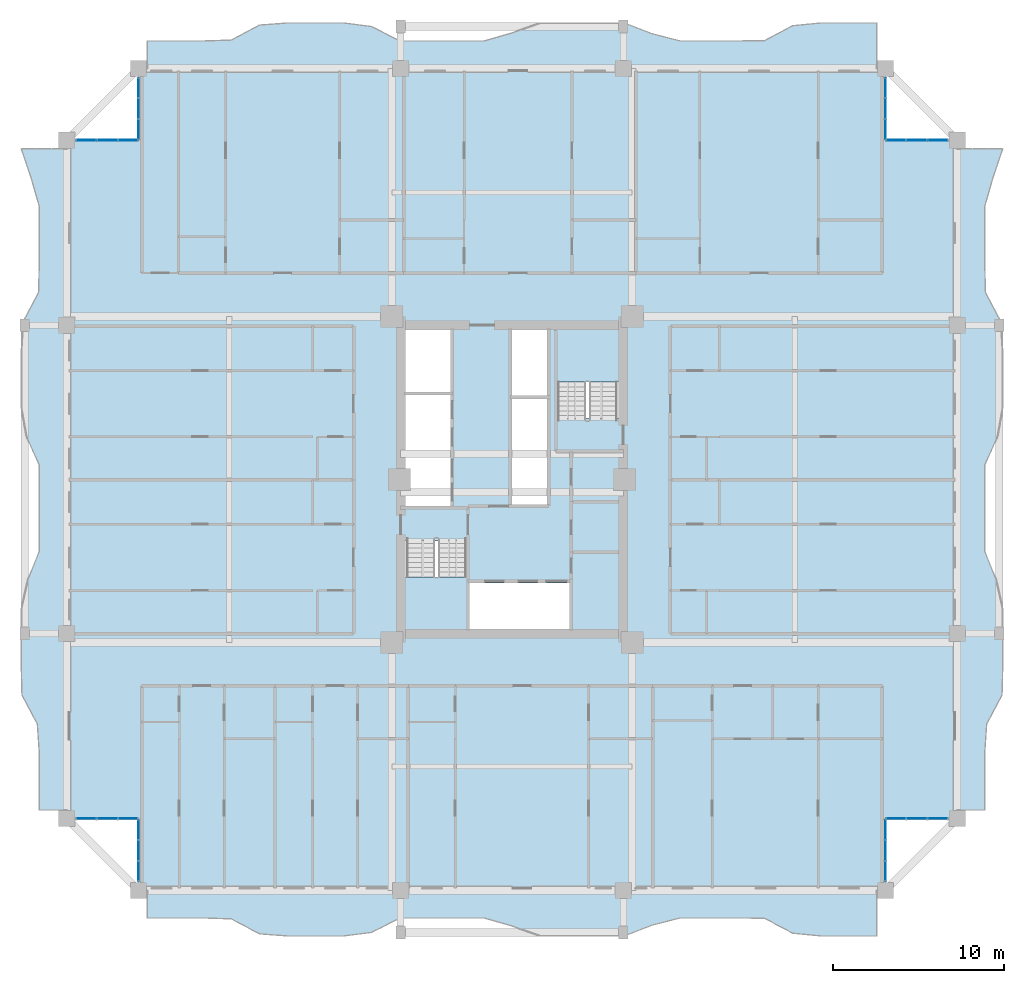
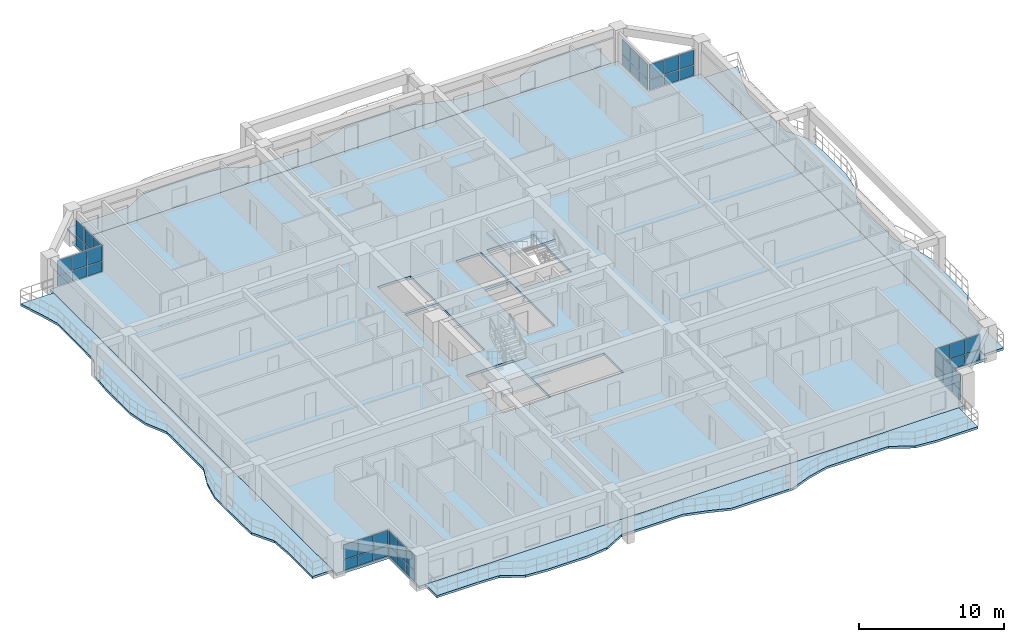
# One storey, part 13 of 25: 48 plates, 7 slabs, 10 elements without a shape of their own.
"""IFC4 building model written with IfcOpenShell, lengths in metres."""

from ifc_helpers import new_model, si_unit, direction, frame, origin, origin_2d, place, context, subcontext, project, spatial, polyline, rectangle, outline, extrude, source, transform, mapped, material, layer, layer_set, type_object, element, aggregate, save


model = new_model("IFC4")

# Units and contexts
model_context = context("Model", 3, precision=1e-05, world=origin(), true_north=direction((0.0, 1.0)))
body_context = subcontext(model_context, "Body", "Model", "MODEL_VIEW")
ifc_project = project(units=[si_unit("LENGTHUNIT", "METRE"), si_unit("AREAUNIT", "SQUARE_METRE"), si_unit("VOLUMEUNIT", "CUBIC_METRE"), si_unit("PLANEANGLEUNIT", "RADIAN"), si_unit("MASSUNIT", "GRAM", prefix="KILO")], contexts=[model_context])

# Site, building, storey
site_placement = place(None, origin())
site = spatial("IfcSite", under=ifc_project, at=site_placement, CompositionType="ELEMENT")
building_placement = place(site_placement, origin())
building = spatial("IfcBuilding", under=site, at=building_placement, Name="Saelheon Loggia Tower", CompositionType="ELEMENT")
storey_placement = place(building_placement, frame((0.0, 0.0, 80.85009765625)))
storey = spatial("IfcBuildingStorey", under=building, at=storey_placement, Name="L25", CompositionType="ELEMENT", Elevation=80.85009765625)

# Slabs
ifc_material_1 = material(Name="Precast Concrete C45/55", Category="concrete")
ifc_layer_1 = layer(ifc_material_1, 0.18994140625)
ifc_layer_set_1 = layer_set([ifc_layer_1], Name="Precast Concrete C45/55")
slab_type_1 = type_object("IfcSlabType", Name="Slab_Loggia_Ext_190", PredefinedType="FLOOR", material=ifc_layer_set_1)
slab_1_placement = place(storey_placement, frame((0.0, 0.0, -0.190185546875)))
element("IfcSlab", 1, at=slab_1_placement, inside=storey, type_object=slab_type_1, Name="L25 Loggia Balcony Slab S", PredefinedType="FLOOR", context=body_context, shape_type="SweptSolid", body=[
    extrude(outline(polyline([(16.699951171875, 1.39990234375), (18.33837890625, 1.39990234375), (19.976806640625, 1.39990234375), (21.615478515625, 1.34619140625), (23.25390625, 0.472412109375), (24.892333984375, 0.35009765625), (26.53076171875, 0.35009765625), (28.169189453125, 0.35009765625), (29.8076171875, 0.5576171875), (31.4462890625, 1.39990234375), (33.084716796875, 1.39990234375), (34.72314453125, 1.39990234375), (36.361572265625, 1.39990234375), (38.0, 0.931396484375), (39.638427734375, 0.35009765625), (41.27685546875, 0.35009765625), (42.915283203125, 0.35009765625), (44.5537109375, 0.35009765625), (46.1923828125, 0.9814453125), (47.830810546875, 1.39990234375), (49.46923828125, 1.39990234375), (51.107666015625, 1.39990234375), (52.74609375, 1.381103515625), (54.384521484375, 0.5087890625), (56.023193359375, 0.35009765625), (57.66162109375, 0.35009765625), (59.300048828125, 0.35009765625), (59.300048828125, 3.0), (16.699951171875, 3.0), (16.699951171875, 1.39990234375)])), origin(), (0.0, 0.0, 1.0), 0.190185546875),
])
slab_2_placement = place(storey_placement, frame((0.0, 0.0, -0.190185546875)))
element("IfcSlab", 2, at=slab_2_placement, inside=storey, type_object=slab_type_1, Name="L25 Loggia Balcony Slab N", PredefinedType="FLOOR", context=body_context, shape_type="SweptSolid", body=[
    extrude(outline(polyline([(16.699951171875, 51.0), (59.300048828125, 51.0), (59.300048828125, 53.64990234375), (57.66162109375, 53.64990234375), (56.023193359375, 53.64990234375), (54.384521484375, 53.4912109375), (52.74609375, 52.618896484375), (51.107666015625, 52.60009765625), (49.46923828125, 52.60009765625), (47.830810546875, 52.60009765625), (46.1923828125, 53.0185546875), (44.5537109375, 53.64990234375), (42.915283203125, 53.64990234375), (41.27685546875, 53.64990234375), (39.638427734375, 53.64990234375), (38.0, 53.068603515625), (36.361572265625, 52.60009765625), (34.72314453125, 52.60009765625), (33.084716796875, 52.60009765625), (31.4462890625, 52.60009765625), (29.8076171875, 53.4423828125), (28.169189453125, 53.64990234375), (26.53076171875, 53.64990234375), (24.892333984375, 53.64990234375), (23.25390625, 53.527587890625), (21.615478515625, 52.65380859375), (19.976806640625, 52.60009765625), (18.33837890625, 52.60009765625), (16.699951171875, 52.60009765625), (16.699951171875, 51.0)])), origin(), (0.0, 0.0, 1.0), 0.190185546875),
])
slab_3_placement = place(storey_placement, frame((0.0, 0.0, -0.190185546875)))
element("IfcSlab", 3, at=slab_3_placement, inside=storey, type_object=slab_type_1, Name="L25 Loggia Balcony Slab E", PredefinedType="FLOOR", context=body_context, shape_type="SweptSolid", body=[
    extrude(outline(polyline([(64.0, 7.699951171875), (65.60009765625, 7.699951171875), (65.60009765625, 9.37841796875), (65.60009765625, 11.056396484375), (65.714599609375, 12.73486328125), (66.60986328125, 14.4130859375), (66.64990234375, 16.09130859375), (66.64990234375, 17.76953125), (66.64990234375, 19.44775390625), (66.271484375, 21.126220703125), (65.60009765625, 22.80419921875), (65.60009765625, 24.482666015625), (65.60009765625, 26.160888671875), (65.60009765625, 27.839111328125), (66.34912109375, 29.517333984375), (66.64990234375, 31.19580078125), (66.64990234375, 32.873779296875), (66.64990234375, 34.55224609375), (66.535888671875, 36.23046875), (65.6416015625, 37.90869140625), (65.60009765625, 39.5869140625), (65.60009765625, 41.26513671875), (65.60009765625, 42.943603515625), (66.080322265625, 44.62158203125), (66.64990234375, 46.300048828125), (64.0, 46.300048828125), (64.0, 7.699951171875)])), origin(), (0.0, 0.0, 1.0), 0.190185546875),
])
slab_4_placement = place(storey_placement, frame((0.0, 0.0, -0.190185546875)))
element("IfcSlab", 4, at=slab_4_placement, inside=storey, type_object=slab_type_1, Name="L25 Loggia Balcony Slab W", PredefinedType="FLOOR", context=body_context, shape_type="SweptSolid", body=[
    extrude(outline(polyline([(12.0, 7.699951171875), (12.0, 46.300048828125), (9.35009765625, 46.300048828125), (9.919677734375, 44.62158203125), (10.39990234375, 42.943603515625), (10.39990234375, 41.26513671875), (10.39990234375, 39.5869140625), (10.3583984375, 37.90869140625), (9.464111328125, 36.23046875), (9.35009765625, 34.55224609375), (9.35009765625, 32.873779296875), (9.35009765625, 31.19580078125), (9.65087890625, 29.517333984375), (10.39990234375, 27.839111328125), (10.39990234375, 26.160888671875), (10.39990234375, 24.482666015625), (10.39990234375, 22.80419921875), (9.728515625, 21.126220703125), (9.35009765625, 19.44775390625), (9.35009765625, 17.76953125), (9.35009765625, 16.09130859375), (9.39013671875, 14.4130859375), (10.285400390625, 12.73486328125), (10.39990234375, 11.056396484375), (10.39990234375, 9.37841796875), (10.39990234375, 7.699951171875), (12.0, 7.699951171875)])), origin(), (0.0, 0.0, 1.0), 0.190185546875),
])

# Stair, slab
ifc_material_2 = material(Name="Concrete C40/50", Category="concrete")
stair_type = type_object("IfcStairType", Name="Stair_Escape_Core", PredefinedType="HALF_TURN_STAIR", material=ifc_material_2)
stair_1_placement = place(storey_placement, origin())
stair_1 = element("IfcStair", 5, at=stair_1_placement, inside=storey, type_object=stair_type, Name="L25 Special Escape Stair ST1", PredefinedType="HALF_TURN_STAIR")
ifc_layer_2 = layer(ifc_material_2, 0.199951171875)
ifc_layer_set_2 = layer_set([ifc_layer_2], Name="Concrete C40/50")
slab_type_2 = type_object("IfcSlabType", Name="Slab_StairLanding_ST1", PredefinedType="LANDING", material=ifc_layer_set_2)
slab_5_placement = place(storey_placement, frame((0.0, 0.0, 1.2998046875)))
slab_5 = element("IfcSlab", 6, at=slab_5_placement, type_object=slab_type_2, Name="ST1 landing 1", PredefinedType="LANDING", context=body_context, shape_type="SweptSolid", body=[
    extrude(outline(polyline([(31.7099609375, 21.31005859375), (31.7099609375, 18.2099609375), (35.469970703125, 18.2099609375), (35.469970703125, 21.31005859375), (31.7099609375, 21.31005859375)])), origin(), (0.0, 0.0, 1.0), 0.2001953125),
])
aggregate(stair_1, [slab_5])

stair_2_placement = place(storey_placement, origin())
stair_2 = element("IfcStair", 7, at=stair_2_placement, inside=storey, type_object=stair_type, Name="L25 Special Escape Stair ST2", PredefinedType="HALF_TURN_STAIR")
ifc_layer_3 = layer(ifc_material_2, 0.199951171875)
ifc_layer_set_3 = layer_set([ifc_layer_3], Name="Concrete C40/50")
slab_type_3 = type_object("IfcSlabType", Name="Slab_StairLanding_ST2", PredefinedType="LANDING", material=ifc_layer_set_3)
slab_6_placement = place(storey_placement, frame((0.0, 0.0, 1.2998046875)))
slab_6 = element("IfcSlab", 8, at=slab_6_placement, type_object=slab_type_3, Name="ST2 landing 1", PredefinedType="LANDING", context=body_context, shape_type="SweptSolid", body=[
    extrude(outline(polyline([(44.2900390625, 32.68994140625), (44.2900390625, 35.7900390625), (40.530029296875, 35.7900390625), (40.530029296875, 32.68994140625), (44.2900390625, 32.68994140625)])), origin(), (0.0, 0.0, 1.0), 0.2001953125),
])
aggregate(stair_2, [slab_6])

# Slab
ifc_layer_4 = layer(ifc_material_2, 0.2099609375)
ifc_layer_set_4 = layer_set([ifc_layer_4], Name="Concrete C40/50")
slab_type_4 = type_object("IfcSlabType", Name="Slab_Tower_210", PredefinedType="FLOOR", material=ifc_layer_set_4)
slab_7_placement = place(storey_placement, frame((0.0, 0.0, -0.210205078125)))
element("IfcSlab", 9, at=slab_7_placement, inside=storey, type_object=slab_type_4, Name="L25 Tower Floor Slab", PredefinedType="FLOOR", context=body_context, shape_type="SweptSolid", body=[
    extrude(outline(polyline([(16.199951171875, 3.0), (59.800048828125, 3.0), (59.800048828125, 7.199951171875), (64.0, 7.199951171875), (64.0, 46.800048828125), (59.800048828125, 46.800048828125), (59.800048828125, 51.0), (16.199951171875, 51.0), (16.199951171875, 46.800048828125), (12.0, 46.800048828125), (12.0, 7.199951171875), (16.199951171875, 7.199951171875), (16.199951171875, 3.0)]), holes=[polyline([(31.699951171875, 23.409912109375), (31.699951171875, 18.199951171875), (35.47998046875, 18.199951171875), (35.47998046875, 23.409912109375), (31.699951171875, 23.409912109375)]), polyline([(44.300048828125, 30.590087890625), (44.300048828125, 35.800048828125), (40.52001953125, 35.800048828125), (40.52001953125, 30.590087890625), (44.300048828125, 30.590087890625)]), polyline([(35.530029296875, 18.27490234375), (41.35009765625, 18.27490234375), (41.35009765625, 20.9599609375), (35.530029296875, 20.9599609375), (35.530029296875, 18.27490234375)]), polyline([(31.77490234375, 32.1201171875), (34.419921875, 32.1201171875), (34.419921875, 35.72509765625), (31.77490234375, 35.72509765625), (31.77490234375, 32.1201171875)]), polyline([(38.0, 31.89990234375), (40.050048828125, 31.89990234375), (40.050048828125, 35.72509765625), (38.0, 35.72509765625), (38.0, 31.89990234375)]), polyline([(31.77490234375, 25.449951171875), (34.419921875, 25.449951171875), (34.419921875, 31.919921875), (31.77490234375, 31.919921875), (31.77490234375, 25.449951171875)]), polyline([(38.0, 25.5400390625), (40.050048828125, 25.5400390625), (40.050048828125, 31.699951171875), (38.0, 31.699951171875), (38.0, 25.5400390625)])]), origin(), (0.0, 0.0, 1.0), 0.210205078125),
])

# Curtain wall, plates
ifc_material_3 = material(Name="Thermal-Break Aluminium and Triple Low-E Glass", Category="aluminium")
ifc_layer_5 = layer(ifc_material_3, 0.159912109375)
ifc_layer_set_5 = layer_set([ifc_layer_5], Name="Thermal-Break Aluminium and Triple Low-E Glass")
curtain_wall_type = type_object("IfcCurtainWallType", Name="CW_TowerLoggiaLow", PredefinedType="NOTDEFINED", material=ifc_layer_set_5)
curtain_wall_1_placement = place(storey_placement, origin())
curtain_wall_1 = element("IfcCurtainWall", 10, at=curtain_wall_1_placement, inside=storey, type_object=curtain_wall_type, Name="L25 Corner Notch Glazing SW1", PredefinedType="NOTDEFINED")
ifc_material_4 = material(Name="Triple Low-E Laminated Glazing", Category="glass")
ifc_layer_6 = layer(ifc_material_4, 0.0419921875)
ifc_layer_set_6 = layer_set([ifc_layer_6], Name="Triple Low-E Laminated Glazing")
plate_type = type_object("IfcPlateType", Name="CW_TowerLoggiaLow_Panel", PredefinedType="CURTAIN_PANEL", material=ifc_layer_set_6)
shared_shape_1 = source(origin(), body_context, "Body", "SweptSolid", [
    extrude(rectangle(XDim=1.130859375, YDim=0.0419921875, at=origin_2d()), origin(), (0.0, 0.0, 1.0), 0.8525390625),
])
plate_1_placement = place(storey_placement, frame((16.199951171875, 4.1455078125, 0.06494140625), z_axis=(0.0, 0.0, 1.0), x_axis=(0.0, 1.0, 0.0)))
plate_1 = element("IfcPlate", 11, at=plate_1_placement, type_object=plate_type, Name="CW3 panel 1.1", PredefinedType="CURTAIN_PANEL", context=body_context, shape_type="MappedRepresentation", body=[
    mapped(shared_shape_1, transform((0.0, 0.0, 0.0), scale=1.0)),
])
plate_2_placement = place(storey_placement, frame((16.199951171875, 6.569580078125, 0.06494140625), z_axis=(0.0, 0.0, 1.0), x_axis=(0.0, 1.0, 0.0)))
plate_2 = element("IfcPlate", 12, at=plate_2_placement, type_object=plate_type, Name="CW3 panel 3.1", PredefinedType="CURTAIN_PANEL", context=body_context, shape_type="MappedRepresentation", body=[
    mapped(shared_shape_1, transform((0.0, 0.0, 0.0), scale=1.0)),
])

curtain_wall_2_placement = place(storey_placement, origin())
curtain_wall_2 = element("IfcCurtainWall", 13, at=curtain_wall_2_placement, inside=storey, type_object=curtain_wall_type, Name="L25 Corner Notch Glazing SW2", PredefinedType="NOTDEFINED")
plate_3_placement = place(storey_placement, frame((13.1455078125, 7.199951171875, 0.06494140625), z_axis=(0.0, 0.0, 1.0), x_axis=(1.0, 0.0, 0.0)))
plate_3 = element("IfcPlate", 14, at=plate_3_placement, type_object=plate_type, Name="CW3 panel 1.1", PredefinedType="CURTAIN_PANEL", context=body_context, shape_type="MappedRepresentation", body=[
    mapped(shared_shape_1, transform((0.0, 0.0, 0.0), scale=1.0)),
])
plate_4_placement = place(storey_placement, frame((15.569580078125, 7.199951171875, 0.06494140625), z_axis=(0.0, 0.0, 1.0), x_axis=(1.0, 0.0, 0.0)))
plate_4 = element("IfcPlate", 15, at=plate_4_placement, type_object=plate_type, Name="CW3 panel 3.1", PredefinedType="CURTAIN_PANEL", context=body_context, shape_type="MappedRepresentation", body=[
    mapped(shared_shape_1, transform((0.0, 0.0, 0.0), scale=1.0)),
])

curtain_wall_3_placement = place(storey_placement, origin())
curtain_wall_3 = element("IfcCurtainWall", 16, at=curtain_wall_3_placement, inside=storey, type_object=curtain_wall_type, Name="L25 Corner Notch Glazing SE1", PredefinedType="NOTDEFINED")
plate_5_placement = place(storey_placement, frame((59.800048828125, 4.1455078125, 0.06494140625), z_axis=(0.0, 0.0, 1.0), x_axis=(0.0, 1.0, 0.0)))
plate_5 = element("IfcPlate", 17, at=plate_5_placement, type_object=plate_type, Name="CW3 panel 1.1", PredefinedType="CURTAIN_PANEL", context=body_context, shape_type="MappedRepresentation", body=[
    mapped(shared_shape_1, transform((0.0, 0.0, 0.0), scale=1.0)),
])
plate_6_placement = place(storey_placement, frame((59.800048828125, 6.569580078125, 0.06494140625), z_axis=(0.0, 0.0, 1.0), x_axis=(0.0, 1.0, 0.0)))
plate_6 = element("IfcPlate", 18, at=plate_6_placement, type_object=plate_type, Name="CW3 panel 3.1", PredefinedType="CURTAIN_PANEL", context=body_context, shape_type="MappedRepresentation", body=[
    mapped(shared_shape_1, transform((0.0, 0.0, 0.0), scale=1.0)),
])

curtain_wall_4_placement = place(storey_placement, origin())
curtain_wall_4 = element("IfcCurtainWall", 19, at=curtain_wall_4_placement, inside=storey, type_object=curtain_wall_type, Name="L25 Corner Notch Glazing SE2", PredefinedType="NOTDEFINED")
plate_7_placement = place(storey_placement, frame((60.430419921875, 7.199951171875, 0.06494140625), z_axis=(0.0, 0.0, 1.0), x_axis=(1.0, 0.0, 0.0)))
plate_7 = element("IfcPlate", 20, at=plate_7_placement, type_object=plate_type, Name="CW3 panel 1.1", PredefinedType="CURTAIN_PANEL", context=body_context, shape_type="MappedRepresentation", body=[
    mapped(shared_shape_1, transform((0.0, 0.0, 0.0), scale=1.0)),
])
plate_8_placement = place(storey_placement, frame((62.8544921875, 7.199951171875, 0.06494140625), z_axis=(0.0, 0.0, 1.0), x_axis=(1.0, 0.0, 0.0)))
plate_8 = element("IfcPlate", 21, at=plate_8_placement, type_object=plate_type, Name="CW3 panel 3.1", PredefinedType="CURTAIN_PANEL", context=body_context, shape_type="MappedRepresentation", body=[
    mapped(shared_shape_1, transform((0.0, 0.0, 0.0), scale=1.0)),
])

curtain_wall_5_placement = place(storey_placement, origin())
curtain_wall_5 = element("IfcCurtainWall", 22, at=curtain_wall_5_placement, inside=storey, type_object=curtain_wall_type, Name="L25 Corner Notch Glazing NW1", PredefinedType="NOTDEFINED")
plate_9_placement = place(storey_placement, frame((16.199951171875, 47.430419921875, 0.06494140625), z_axis=(0.0, 0.0, 1.0), x_axis=(0.0, 1.0, 0.0)))
plate_9 = element("IfcPlate", 23, at=plate_9_placement, type_object=plate_type, Name="CW3 panel 1.1", PredefinedType="CURTAIN_PANEL", context=body_context, shape_type="MappedRepresentation", body=[
    mapped(shared_shape_1, transform((0.0, 0.0, 0.0), scale=1.0)),
])
plate_10_placement = place(storey_placement, frame((16.199951171875, 49.8544921875, 0.06494140625), z_axis=(0.0, 0.0, 1.0), x_axis=(0.0, 1.0, 0.0)))
plate_10 = element("IfcPlate", 24, at=plate_10_placement, type_object=plate_type, Name="CW3 panel 3.1", PredefinedType="CURTAIN_PANEL", context=body_context, shape_type="MappedRepresentation", body=[
    mapped(shared_shape_1, transform((0.0, 0.0, 0.0), scale=1.0)),
])

curtain_wall_6_placement = place(storey_placement, origin())
curtain_wall_6 = element("IfcCurtainWall", 25, at=curtain_wall_6_placement, inside=storey, type_object=curtain_wall_type, Name="L25 Corner Notch Glazing NW2", PredefinedType="NOTDEFINED")
plate_11_placement = place(storey_placement, frame((13.1455078125, 46.800048828125, 0.06494140625), z_axis=(0.0, 0.0, 1.0), x_axis=(1.0, 0.0, 0.0)))
plate_11 = element("IfcPlate", 26, at=plate_11_placement, type_object=plate_type, Name="CW3 panel 1.1", PredefinedType="CURTAIN_PANEL", context=body_context, shape_type="MappedRepresentation", body=[
    mapped(shared_shape_1, transform((0.0, 0.0, 0.0), scale=1.0)),
])
plate_12_placement = place(storey_placement, frame((15.569580078125, 46.800048828125, 0.06494140625), z_axis=(0.0, 0.0, 1.0), x_axis=(1.0, 0.0, 0.0)))
plate_12 = element("IfcPlate", 27, at=plate_12_placement, type_object=plate_type, Name="CW3 panel 3.1", PredefinedType="CURTAIN_PANEL", context=body_context, shape_type="MappedRepresentation", body=[
    mapped(shared_shape_1, transform((0.0, 0.0, 0.0), scale=1.0)),
])

curtain_wall_7_placement = place(storey_placement, origin())
curtain_wall_7 = element("IfcCurtainWall", 28, at=curtain_wall_7_placement, inside=storey, type_object=curtain_wall_type, Name="L25 Corner Notch Glazing NE1", PredefinedType="NOTDEFINED")
plate_13_placement = place(storey_placement, frame((59.800048828125, 47.430419921875, 0.06494140625), z_axis=(0.0, 0.0, 1.0), x_axis=(0.0, 1.0, 0.0)))
plate_13 = element("IfcPlate", 29, at=plate_13_placement, type_object=plate_type, Name="CW3 panel 1.1", PredefinedType="CURTAIN_PANEL", context=body_context, shape_type="MappedRepresentation", body=[
    mapped(shared_shape_1, transform((0.0, 0.0, 0.0), scale=1.0)),
])
plate_14_placement = place(storey_placement, frame((59.800048828125, 49.8544921875, 0.06494140625), z_axis=(0.0, 0.0, 1.0), x_axis=(0.0, 1.0, 0.0)))
plate_14 = element("IfcPlate", 30, at=plate_14_placement, type_object=plate_type, Name="CW3 panel 3.1", PredefinedType="CURTAIN_PANEL", context=body_context, shape_type="MappedRepresentation", body=[
    mapped(shared_shape_1, transform((0.0, 0.0, 0.0), scale=1.0)),
])

curtain_wall_8_placement = place(storey_placement, origin())
curtain_wall_8 = element("IfcCurtainWall", 31, at=curtain_wall_8_placement, inside=storey, type_object=curtain_wall_type, Name="L25 Corner Notch Glazing NE2", PredefinedType="NOTDEFINED")
plate_15_placement = place(storey_placement, frame((60.430419921875, 46.800048828125, 0.06494140625), z_axis=(0.0, 0.0, 1.0), x_axis=(1.0, 0.0, 0.0)))
plate_15 = element("IfcPlate", 32, at=plate_15_placement, type_object=plate_type, Name="CW3 panel 1.1", PredefinedType="CURTAIN_PANEL", context=body_context, shape_type="MappedRepresentation", body=[
    mapped(shared_shape_1, transform((0.0, 0.0, 0.0), scale=1.0)),
])
plate_16_placement = place(storey_placement, frame((62.8544921875, 46.800048828125, 0.06494140625), z_axis=(0.0, 0.0, 1.0), x_axis=(1.0, 0.0, 0.0)))
plate_16 = element("IfcPlate", 33, at=plate_16_placement, type_object=plate_type, Name="CW3 panel 3.1", PredefinedType="CURTAIN_PANEL", context=body_context, shape_type="MappedRepresentation", body=[
    mapped(shared_shape_1, transform((0.0, 0.0, 0.0), scale=1.0)),
])

# Plate
shared_shape_2 = source(origin(), body_context, "Body", "SweptSolid", [
    extrude(rectangle(XDim=1.130859375, YDim=0.0419921875, at=origin_2d()), origin(), (0.0, 0.0, 1.0), 1.232421875),
])
plate_17_placement = place(storey_placement, frame((16.199951171875, 4.1455078125, 0.982421875), z_axis=(0.0, 0.0, 1.0), x_axis=(0.0, 1.0, 0.0)))
plate_17 = element("IfcPlate", 34, at=plate_17_placement, type_object=plate_type, Name="CW3 panel 1.2", PredefinedType="CURTAIN_PANEL", context=body_context, shape_type="MappedRepresentation", body=[
    mapped(shared_shape_2, transform((0.0, 0.0, 0.0), scale=1.0)),
])

plate_18_placement = place(storey_placement, frame((16.199951171875, 6.569580078125, 0.982421875), z_axis=(0.0, 0.0, 1.0), x_axis=(0.0, 1.0, 0.0)))
plate_18 = element("IfcPlate", 35, at=plate_18_placement, type_object=plate_type, Name="CW3 panel 3.2", PredefinedType="CURTAIN_PANEL", context=body_context, shape_type="MappedRepresentation", body=[
    mapped(shared_shape_2, transform((0.0, 0.0, 0.0), scale=1.0)),
])

plate_19_placement = place(storey_placement, frame((13.1455078125, 7.199951171875, 0.982421875), z_axis=(0.0, 0.0, 1.0), x_axis=(1.0, 0.0, 0.0)))
plate_19 = element("IfcPlate", 36, at=plate_19_placement, type_object=plate_type, Name="CW3 panel 1.2", PredefinedType="CURTAIN_PANEL", context=body_context, shape_type="MappedRepresentation", body=[
    mapped(shared_shape_2, transform((0.0, 0.0, 0.0), scale=1.0)),
])

plate_20_placement = place(storey_placement, frame((15.569580078125, 7.199951171875, 0.982421875), z_axis=(0.0, 0.0, 1.0), x_axis=(1.0, 0.0, 0.0)))
plate_20 = element("IfcPlate", 37, at=plate_20_placement, type_object=plate_type, Name="CW3 panel 3.2", PredefinedType="CURTAIN_PANEL", context=body_context, shape_type="MappedRepresentation", body=[
    mapped(shared_shape_2, transform((0.0, 0.0, 0.0), scale=1.0)),
])

plate_21_placement = place(storey_placement, frame((59.800048828125, 4.1455078125, 0.982421875), z_axis=(0.0, 0.0, 1.0), x_axis=(0.0, 1.0, 0.0)))
plate_21 = element("IfcPlate", 38, at=plate_21_placement, type_object=plate_type, Name="CW3 panel 1.2", PredefinedType="CURTAIN_PANEL", context=body_context, shape_type="MappedRepresentation", body=[
    mapped(shared_shape_2, transform((0.0, 0.0, 0.0), scale=1.0)),
])

plate_22_placement = place(storey_placement, frame((59.800048828125, 6.569580078125, 0.982421875), z_axis=(0.0, 0.0, 1.0), x_axis=(0.0, 1.0, 0.0)))
plate_22 = element("IfcPlate", 39, at=plate_22_placement, type_object=plate_type, Name="CW3 panel 3.2", PredefinedType="CURTAIN_PANEL", context=body_context, shape_type="MappedRepresentation", body=[
    mapped(shared_shape_2, transform((0.0, 0.0, 0.0), scale=1.0)),
])

plate_23_placement = place(storey_placement, frame((60.430419921875, 7.199951171875, 0.982421875), z_axis=(0.0, 0.0, 1.0), x_axis=(1.0, 0.0, 0.0)))
plate_23 = element("IfcPlate", 40, at=plate_23_placement, type_object=plate_type, Name="CW3 panel 1.2", PredefinedType="CURTAIN_PANEL", context=body_context, shape_type="MappedRepresentation", body=[
    mapped(shared_shape_2, transform((0.0, 0.0, 0.0), scale=1.0)),
])

plate_24_placement = place(storey_placement, frame((62.8544921875, 7.199951171875, 0.982421875), z_axis=(0.0, 0.0, 1.0), x_axis=(1.0, 0.0, 0.0)))
plate_24 = element("IfcPlate", 41, at=plate_24_placement, type_object=plate_type, Name="CW3 panel 3.2", PredefinedType="CURTAIN_PANEL", context=body_context, shape_type="MappedRepresentation", body=[
    mapped(shared_shape_2, transform((0.0, 0.0, 0.0), scale=1.0)),
])

plate_25_placement = place(storey_placement, frame((16.199951171875, 47.430419921875, 0.982421875), z_axis=(0.0, 0.0, 1.0), x_axis=(0.0, 1.0, 0.0)))
plate_25 = element("IfcPlate", 42, at=plate_25_placement, type_object=plate_type, Name="CW3 panel 1.2", PredefinedType="CURTAIN_PANEL", context=body_context, shape_type="MappedRepresentation", body=[
    mapped(shared_shape_2, transform((0.0, 0.0, 0.0), scale=1.0)),
])

plate_26_placement = place(storey_placement, frame((16.199951171875, 49.8544921875, 0.982421875), z_axis=(0.0, 0.0, 1.0), x_axis=(0.0, 1.0, 0.0)))
plate_26 = element("IfcPlate", 43, at=plate_26_placement, type_object=plate_type, Name="CW3 panel 3.2", PredefinedType="CURTAIN_PANEL", context=body_context, shape_type="MappedRepresentation", body=[
    mapped(shared_shape_2, transform((0.0, 0.0, 0.0), scale=1.0)),
])

plate_27_placement = place(storey_placement, frame((13.1455078125, 46.800048828125, 0.982421875), z_axis=(0.0, 0.0, 1.0), x_axis=(1.0, 0.0, 0.0)))
plate_27 = element("IfcPlate", 44, at=plate_27_placement, type_object=plate_type, Name="CW3 panel 1.2", PredefinedType="CURTAIN_PANEL", context=body_context, shape_type="MappedRepresentation", body=[
    mapped(shared_shape_2, transform((0.0, 0.0, 0.0), scale=1.0)),
])

plate_28_placement = place(storey_placement, frame((15.569580078125, 46.800048828125, 0.982421875), z_axis=(0.0, 0.0, 1.0), x_axis=(1.0, 0.0, 0.0)))
plate_28 = element("IfcPlate", 45, at=plate_28_placement, type_object=plate_type, Name="CW3 panel 3.2", PredefinedType="CURTAIN_PANEL", context=body_context, shape_type="MappedRepresentation", body=[
    mapped(shared_shape_2, transform((0.0, 0.0, 0.0), scale=1.0)),
])

plate_29_placement = place(storey_placement, frame((59.800048828125, 47.430419921875, 0.982421875), z_axis=(0.0, 0.0, 1.0), x_axis=(0.0, 1.0, 0.0)))
plate_29 = element("IfcPlate", 46, at=plate_29_placement, type_object=plate_type, Name="CW3 panel 1.2", PredefinedType="CURTAIN_PANEL", context=body_context, shape_type="MappedRepresentation", body=[
    mapped(shared_shape_2, transform((0.0, 0.0, 0.0), scale=1.0)),
])

plate_30_placement = place(storey_placement, frame((59.800048828125, 49.8544921875, 0.982421875), z_axis=(0.0, 0.0, 1.0), x_axis=(0.0, 1.0, 0.0)))
plate_30 = element("IfcPlate", 47, at=plate_30_placement, type_object=plate_type, Name="CW3 panel 3.2", PredefinedType="CURTAIN_PANEL", context=body_context, shape_type="MappedRepresentation", body=[
    mapped(shared_shape_2, transform((0.0, 0.0, 0.0), scale=1.0)),
])

plate_31_placement = place(storey_placement, frame((60.430419921875, 46.800048828125, 0.982421875), z_axis=(0.0, 0.0, 1.0), x_axis=(1.0, 0.0, 0.0)))
plate_31 = element("IfcPlate", 48, at=plate_31_placement, type_object=plate_type, Name="CW3 panel 1.2", PredefinedType="CURTAIN_PANEL", context=body_context, shape_type="MappedRepresentation", body=[
    mapped(shared_shape_2, transform((0.0, 0.0, 0.0), scale=1.0)),
])

plate_32_placement = place(storey_placement, frame((62.8544921875, 46.800048828125, 0.982421875), z_axis=(0.0, 0.0, 1.0), x_axis=(1.0, 0.0, 0.0)))
plate_32 = element("IfcPlate", 49, at=plate_32_placement, type_object=plate_type, Name="CW3 panel 3.2", PredefinedType="CURTAIN_PANEL", context=body_context, shape_type="MappedRepresentation", body=[
    mapped(shared_shape_2, transform((0.0, 0.0, 0.0), scale=1.0)),
])

shared_shape_3 = source(origin(), body_context, "Body", "SweptSolid", [
    extrude(rectangle(XDim=1.163330078125, YDim=0.0419921875, at=origin_2d()), origin(), (0.0, 0.0, 1.0), 0.8525390625),
])
plate_33_placement = place(storey_placement, frame((16.199951171875, 5.357421875, 0.06494140625), z_axis=(0.0, 0.0, 1.0), x_axis=(0.0, 1.0, 0.0)))
plate_33 = element("IfcPlate", 50, at=plate_33_placement, type_object=plate_type, Name="CW3 panel 2.1", PredefinedType="CURTAIN_PANEL", context=body_context, shape_type="MappedRepresentation", body=[
    mapped(shared_shape_3, transform((0.0, 0.0, 0.0), scale=1.0)),
])

plate_34_placement = place(storey_placement, frame((14.357421875, 7.199951171875, 0.06494140625), z_axis=(0.0, 0.0, 1.0), x_axis=(1.0, 0.0, 0.0)))
plate_34 = element("IfcPlate", 51, at=plate_34_placement, type_object=plate_type, Name="CW3 panel 2.1", PredefinedType="CURTAIN_PANEL", context=body_context, shape_type="MappedRepresentation", body=[
    mapped(shared_shape_3, transform((0.0, 0.0, 0.0), scale=1.0)),
])

plate_35_placement = place(storey_placement, frame((59.800048828125, 5.357421875, 0.06494140625), z_axis=(0.0, 0.0, 1.0), x_axis=(0.0, 1.0, 0.0)))
plate_35 = element("IfcPlate", 52, at=plate_35_placement, type_object=plate_type, Name="CW3 panel 2.1", PredefinedType="CURTAIN_PANEL", context=body_context, shape_type="MappedRepresentation", body=[
    mapped(shared_shape_3, transform((0.0, 0.0, 0.0), scale=1.0)),
])

plate_36_placement = place(storey_placement, frame((61.642578125, 7.199951171875, 0.06494140625), z_axis=(0.0, 0.0, 1.0), x_axis=(1.0, 0.0, 0.0)))
plate_36 = element("IfcPlate", 53, at=plate_36_placement, type_object=plate_type, Name="CW3 panel 2.1", PredefinedType="CURTAIN_PANEL", context=body_context, shape_type="MappedRepresentation", body=[
    mapped(shared_shape_3, transform((0.0, 0.0, 0.0), scale=1.0)),
])

plate_37_placement = place(storey_placement, frame((16.199951171875, 48.642578125, 0.06494140625), z_axis=(0.0, 0.0, 1.0), x_axis=(0.0, 1.0, 0.0)))
plate_37 = element("IfcPlate", 54, at=plate_37_placement, type_object=plate_type, Name="CW3 panel 2.1", PredefinedType="CURTAIN_PANEL", context=body_context, shape_type="MappedRepresentation", body=[
    mapped(shared_shape_3, transform((0.0, 0.0, 0.0), scale=1.0)),
])

plate_38_placement = place(storey_placement, frame((14.357421875, 46.800048828125, 0.06494140625), z_axis=(0.0, 0.0, 1.0), x_axis=(1.0, 0.0, 0.0)))
plate_38 = element("IfcPlate", 55, at=plate_38_placement, type_object=plate_type, Name="CW3 panel 2.1", PredefinedType="CURTAIN_PANEL", context=body_context, shape_type="MappedRepresentation", body=[
    mapped(shared_shape_3, transform((0.0, 0.0, 0.0), scale=1.0)),
])

plate_39_placement = place(storey_placement, frame((59.800048828125, 48.642578125, 0.06494140625), z_axis=(0.0, 0.0, 1.0), x_axis=(0.0, 1.0, 0.0)))
plate_39 = element("IfcPlate", 56, at=plate_39_placement, type_object=plate_type, Name="CW3 panel 2.1", PredefinedType="CURTAIN_PANEL", context=body_context, shape_type="MappedRepresentation", body=[
    mapped(shared_shape_3, transform((0.0, 0.0, 0.0), scale=1.0)),
])

plate_40_placement = place(storey_placement, frame((61.642578125, 46.800048828125, 0.06494140625), z_axis=(0.0, 0.0, 1.0), x_axis=(1.0, 0.0, 0.0)))
plate_40 = element("IfcPlate", 57, at=plate_40_placement, type_object=plate_type, Name="CW3 panel 2.1", PredefinedType="CURTAIN_PANEL", context=body_context, shape_type="MappedRepresentation", body=[
    mapped(shared_shape_3, transform((0.0, 0.0, 0.0), scale=1.0)),
])

shared_shape_4 = source(origin(), body_context, "Body", "SweptSolid", [
    extrude(rectangle(XDim=1.163330078125, YDim=0.0419921875, at=origin_2d()), origin(), (0.0, 0.0, 1.0), 1.232421875),
])
plate_41_placement = place(storey_placement, frame((16.199951171875, 5.357421875, 0.982421875), z_axis=(0.0, 0.0, 1.0), x_axis=(0.0, 1.0, 0.0)))
plate_41 = element("IfcPlate", 58, at=plate_41_placement, type_object=plate_type, Name="CW3 panel 2.2", PredefinedType="CURTAIN_PANEL", context=body_context, shape_type="MappedRepresentation", body=[
    mapped(shared_shape_4, transform((0.0, 0.0, 0.0), scale=1.0)),
])

aggregate(curtain_wall_1, [plate_1, plate_17, plate_33, plate_41, plate_2, plate_18])

plate_42_placement = place(storey_placement, frame((14.357421875, 7.199951171875, 0.982421875), z_axis=(0.0, 0.0, 1.0), x_axis=(1.0, 0.0, 0.0)))
plate_42 = element("IfcPlate", 59, at=plate_42_placement, type_object=plate_type, Name="CW3 panel 2.2", PredefinedType="CURTAIN_PANEL", context=body_context, shape_type="MappedRepresentation", body=[
    mapped(shared_shape_4, transform((0.0, 0.0, 0.0), scale=1.0)),
])

aggregate(curtain_wall_2, [plate_3, plate_19, plate_34, plate_42, plate_4, plate_20])

plate_43_placement = place(storey_placement, frame((59.800048828125, 5.357421875, 0.982421875), z_axis=(0.0, 0.0, 1.0), x_axis=(0.0, 1.0, 0.0)))
plate_43 = element("IfcPlate", 60, at=plate_43_placement, type_object=plate_type, Name="CW3 panel 2.2", PredefinedType="CURTAIN_PANEL", context=body_context, shape_type="MappedRepresentation", body=[
    mapped(shared_shape_4, transform((0.0, 0.0, 0.0), scale=1.0)),
])

aggregate(curtain_wall_3, [plate_5, plate_21, plate_35, plate_43, plate_6, plate_22])

plate_44_placement = place(storey_placement, frame((61.642578125, 7.199951171875, 0.982421875), z_axis=(0.0, 0.0, 1.0), x_axis=(1.0, 0.0, 0.0)))
plate_44 = element("IfcPlate", 61, at=plate_44_placement, type_object=plate_type, Name="CW3 panel 2.2", PredefinedType="CURTAIN_PANEL", context=body_context, shape_type="MappedRepresentation", body=[
    mapped(shared_shape_4, transform((0.0, 0.0, 0.0), scale=1.0)),
])

aggregate(curtain_wall_4, [plate_7, plate_23, plate_36, plate_44, plate_8, plate_24])

plate_45_placement = place(storey_placement, frame((16.199951171875, 48.642578125, 0.982421875), z_axis=(0.0, 0.0, 1.0), x_axis=(0.0, 1.0, 0.0)))
plate_45 = element("IfcPlate", 62, at=plate_45_placement, type_object=plate_type, Name="CW3 panel 2.2", PredefinedType="CURTAIN_PANEL", context=body_context, shape_type="MappedRepresentation", body=[
    mapped(shared_shape_4, transform((0.0, 0.0, 0.0), scale=1.0)),
])

aggregate(curtain_wall_5, [plate_9, plate_25, plate_37, plate_45, plate_10, plate_26])

plate_46_placement = place(storey_placement, frame((14.357421875, 46.800048828125, 0.982421875), z_axis=(0.0, 0.0, 1.0), x_axis=(1.0, 0.0, 0.0)))
plate_46 = element("IfcPlate", 63, at=plate_46_placement, type_object=plate_type, Name="CW3 panel 2.2", PredefinedType="CURTAIN_PANEL", context=body_context, shape_type="MappedRepresentation", body=[
    mapped(shared_shape_4, transform((0.0, 0.0, 0.0), scale=1.0)),
])

aggregate(curtain_wall_6, [plate_11, plate_27, plate_38, plate_46, plate_12, plate_28])

plate_47_placement = place(storey_placement, frame((59.800048828125, 48.642578125, 0.982421875), z_axis=(0.0, 0.0, 1.0), x_axis=(0.0, 1.0, 0.0)))
plate_47 = element("IfcPlate", 64, at=plate_47_placement, type_object=plate_type, Name="CW3 panel 2.2", PredefinedType="CURTAIN_PANEL", context=body_context, shape_type="MappedRepresentation", body=[
    mapped(shared_shape_4, transform((0.0, 0.0, 0.0), scale=1.0)),
])

aggregate(curtain_wall_7, [plate_13, plate_29, plate_39, plate_47, plate_14, plate_30])

plate_48_placement = place(storey_placement, frame((61.642578125, 46.800048828125, 0.982421875), z_axis=(0.0, 0.0, 1.0), x_axis=(1.0, 0.0, 0.0)))
plate_48 = element("IfcPlate", 65, at=plate_48_placement, type_object=plate_type, Name="CW3 panel 2.2", PredefinedType="CURTAIN_PANEL", context=body_context, shape_type="MappedRepresentation", body=[
    mapped(shared_shape_4, transform((0.0, 0.0, 0.0), scale=1.0)),
])

aggregate(curtain_wall_8, [plate_15, plate_31, plate_40, plate_48, plate_16, plate_32])

save(model, "model.ifc")
